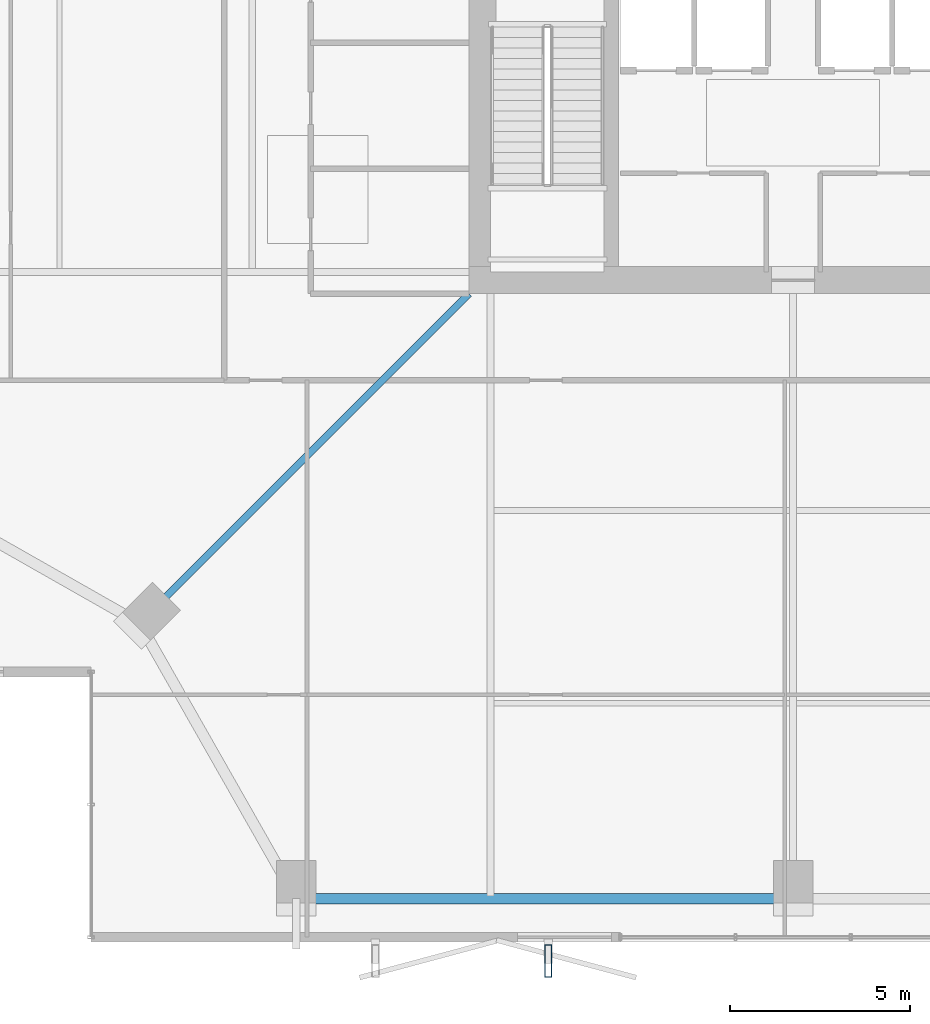
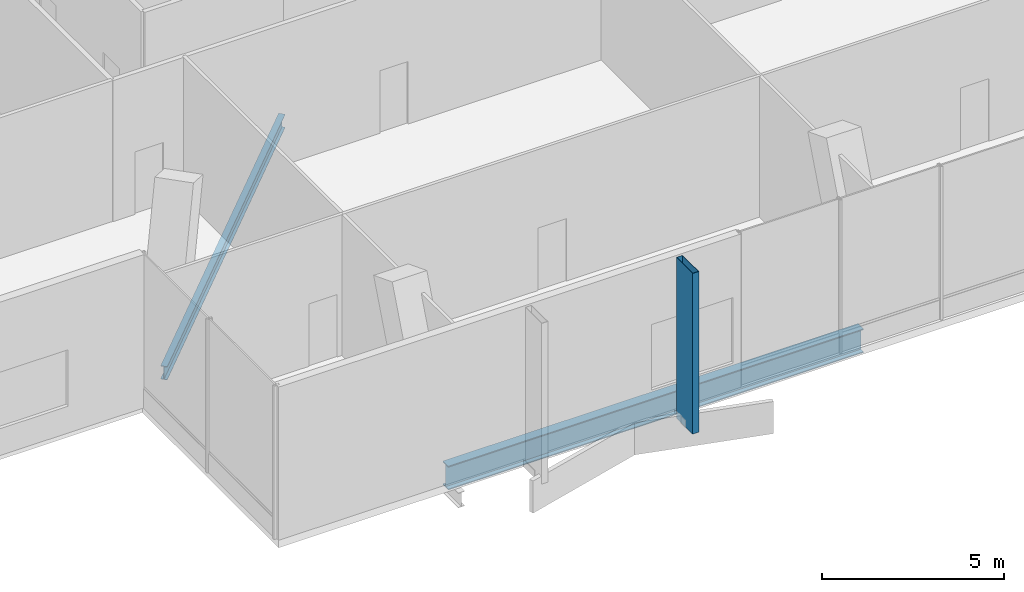
# One storey, part 4 of 33: 2 beams, 1 member.
"""IFC4 building model written with IfcOpenShell, lengths in metres."""

from ifc_helpers import new_model, si_unit, direction, frame, origin, origin_2d, place, context, subcontext, project, spatial, hollow_rectangle, i_section, extrude, material, material_profile, profile_set, type_object, element, save


model = new_model("IFC4")

# Units and contexts
model_context = context("Model", 3, precision=1e-05, world=origin(), true_north=direction((0.0, 1.0)))
body_context = subcontext(model_context, "Body", "Model", "MODEL_VIEW")
ifc_project = project(units=[si_unit("LENGTHUNIT", "METRE"), si_unit("AREAUNIT", "SQUARE_METRE"), si_unit("VOLUMEUNIT", "CUBIC_METRE"), si_unit("PLANEANGLEUNIT", "RADIAN"), si_unit("MASSUNIT", "GRAM", prefix="KILO")], contexts=[model_context])

# Site, building, storey
site_placement = place(None, origin())
site = spatial("IfcSite", under=ifc_project, at=site_placement, CompositionType="ELEMENT")
building_placement = place(site_placement, origin())
building = spatial("IfcBuilding", under=site, at=building_placement, Name="Belovzor Exchange Tower", CompositionType="ELEMENT")
storey_placement = place(building_placement, frame((0.0, 0.0, 241.199951171875)))
storey = spatial("IfcBuildingStorey", under=building, at=storey_placement, Name="L60", CompositionType="ELEMENT", Elevation=241.199951171875)

# Beam
ifc_material_1 = material(Name="Steel S355", Category="steel")
ifc_material_profile_1 = material_profile(ifc_material_1, i_section(OverallWidth=0.300048828125, OverallDepth=0.800048828125, WebThickness=0.017578125, FlangeThickness=0.032958984375, at=origin_2d()))
ifc_profile_set_1 = profile_set([ifc_material_profile_1], Name="Steel S355")
beam_type_1 = type_object("IfcBeamType", Name="Sky-Lobby Primary Girder HEB 800", PredefinedType="BEAM", material=ifc_profile_set_1)
beam_1_placement = place(storey_placement, frame((15.302978515625, 3.0, -0.64990234375), z_axis=(1.0, 0.0, 0.0), x_axis=(0.0, 1.0, 0.0)))
element("IfcBeam", 1, at=beam_1_placement, inside=storey, type_object=beam_type_1, Name="SG-1 Sky-Lobby Primary Girder HEB 800", PredefinedType="BEAM", context=body_context, shape_type="SweptSolid", body=[
    extrude(i_section(OverallWidth=0.300048828125, OverallDepth=0.800048828125, WebThickness=0.017578125, FlangeThickness=0.032958984375, at=origin_2d()), origin(), (0.0, 0.0, 1.0), 13.195068359375),
])

# Member
ifc_material_2 = material(Name="Extruded Architectural Terracotta on Steel S355 Carrier", Category="masonry")
ifc_material_profile_2 = material_profile(ifc_material_2, hollow_rectangle(XDim=0.199951171875, YDim=0.89990234375, WallThickness=0.011962890625, at=origin_2d()))
ifc_profile_set_2 = profile_set([ifc_material_profile_2], Name="Extruded Architectural Terracotta on Steel S355 Carrier")
member_type = type_object("IfcMemberType", Name="Sweeping Terracotta Baguette Fin Assembly 950", PredefinedType="USERDEFINED", material=ifc_profile_set_2)
member_placement = place(storey_placement, frame((22.0, 1.27490234375, -0.25), z_axis=(0.0, 0.0, 1.0), x_axis=(1.0, 0.0, 0.0)))
element("IfcMember", 2, at=member_placement, inside=storey, type_object=member_type, Name="FIN-TC095 Terracotta Facade Fin L60 S2", ObjectType="FIN", PredefinedType="USERDEFINED", context=body_context, shape_type="SweptSolid", body=[
    extrude(hollow_rectangle(XDim=0.199951171875, YDim=0.89990234375, WallThickness=0.011962890625, at=origin_2d()), origin(), (0.0, 0.0, 1.0), 5.400146484375),
])

# Beam
ifc_material_3 = material(Name="Steel S355", Category="steel")
ifc_material_profile_3 = material_profile(ifc_material_3, i_section(OverallWidth=0.18994140625, OverallDepth=0.449951171875, WebThickness=0.009521484375, FlangeThickness=0.0146484375, at=origin_2d()))
ifc_profile_set_3 = profile_set([ifc_material_profile_3], Name="Steel S355")
beam_type_2 = type_object("IfcBeamType", Name="Zone 2-4 Radial Composite Floor Beam IPE 450", PredefinedType="BEAM", material=ifc_profile_set_3)
beam_2_placement = place(storey_placement, frame((19.800048828125, 19.800048828125, -0.474853515625), z_axis=(-0.707106781187, -0.707106781187, 0.0), x_axis=(0.707106781187, -0.707106781187, 0.0)))
element("IfcBeam", 3, at=beam_2_placement, inside=storey, type_object=beam_type_2, Name="FB-450 Zone 2-4 Radial Composite Floor Beam IPE 450", PredefinedType="BEAM", context=body_context, shape_type="SweptSolid", body=[
    extrude(i_section(OverallWidth=0.18994140625, OverallDepth=0.449951171875, WebThickness=0.009521484375, FlangeThickness=0.0146484375, at=origin_2d()), origin(), (0.0, 0.0, 1.0), 12.551025390625),
])

save(model, "model.ifc")
